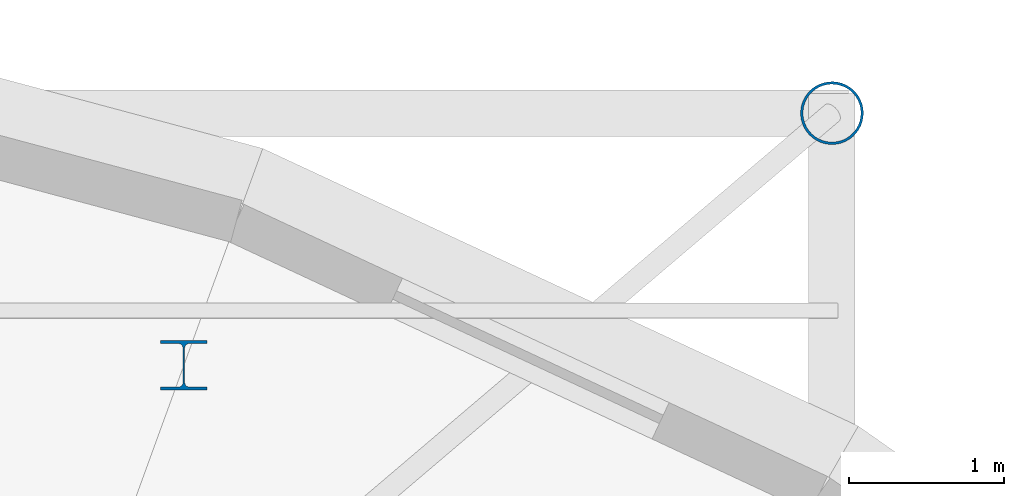
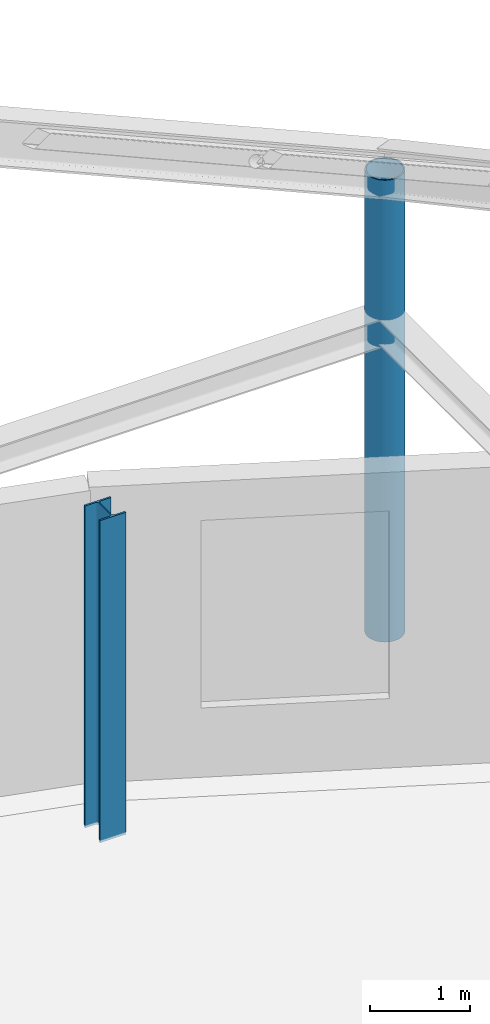
# One storey, part 14 of 75: 2 columns.
"""IFC4 building model written with IfcOpenShell, lengths in metres."""

from ifc_helpers import new_model, si_unit, direction, frame, origin, origin_2d, place, context, subcontext, project, spatial, hollow_circle, i_section, extrude, material, material_profile, profile_set, type_object, element, save


model = new_model("IFC4")

# Units and contexts
model_context = context("Model", 3, precision=1e-05, world=origin(), true_north=direction((0.0, 1.0)))
body_context = subcontext(model_context, "Body", "Model", "MODEL_VIEW")
ifc_project = project(units=[si_unit("LENGTHUNIT", "METRE"), si_unit("AREAUNIT", "SQUARE_METRE"), si_unit("VOLUMEUNIT", "CUBIC_METRE"), si_unit("PLANEANGLEUNIT", "RADIAN"), si_unit("MASSUNIT", "GRAM", prefix="KILO")], contexts=[model_context])

# Site, building, storey
site_placement = place(None, origin())
site = spatial("IfcSite", under=ifc_project, at=site_placement, CompositionType="ELEMENT")
building_placement = place(site_placement, origin())
building = spatial("IfcBuilding", under=site, at=building_placement, Name="Kolvaren Corner Interchange", CompositionType="ELEMENT")
storey_placement = place(building_placement, frame((0.0, 0.0, 10.5)))
storey = spatial("IfcBuildingStorey", under=building, at=storey_placement, Name="L03", CompositionType="ELEMENT", Elevation=10.5)

# Columns
ifc_material_1 = material(Name="Steel S355", Category="steel")
ifc_material_profile_1 = material_profile(ifc_material_1, hollow_circle(Radius=0.203125, WallThickness=0.01611328125, at=origin_2d()), Name="CHS 406.4x16.0")
ifc_profile_set_1 = profile_set([ifc_material_profile_1], Name="Steel S355")
column_type_1 = type_object("IfcColumnType", Name="COL-CHS406", PredefinedType="COLUMN", material=ifc_profile_set_1)
column_1_placement = place(storey_placement, frame((132.0, 71.10009765625, 0.0), z_axis=(0.0, 0.0, 1.0), x_axis=(1.0, 0.0, 0.0)))
element("IfcColumn", 1, at=column_1_placement, inside=storey, type_object=column_type_1, Name="Storey L03 Structural Column 0782", PredefinedType="COLUMN", context=body_context, shape_type="SweptSolid", body=[
    extrude(hollow_circle(Radius=0.203125, WallThickness=0.01611328125, at=origin_2d()), origin(), (0.0, 0.0, 1.0), 5.6650390625),
])
ifc_material_2 = material(Name="Steel S355", Category="steel")
ifc_material_profile_2 = material_profile(ifc_material_2, i_section(OverallWidth=0.300048828125, OverallDepth=0.320068359375, WebThickness=0.011474609375, FlangeThickness=0.0205078125, FilletRadius=0.027099609375, at=origin_2d()), Name="HEB 320")
ifc_profile_set_2 = profile_set([ifc_material_profile_2], Name="Steel S355")
column_type_2 = type_object("IfcColumnType", Name="COL-HEB320", PredefinedType="COLUMN", material=ifc_profile_set_2)
column_2_placement = place(storey_placement, frame((127.81494140625, 69.471923828125, 0.0), z_axis=(0.0, 0.0, 1.0), x_axis=(1.0, 0.0, 0.0)))
element("IfcColumn", 2, at=column_2_placement, inside=storey, type_object=column_type_2, Name="Storey L03 Structural Column 0846", PredefinedType="COLUMN", context=body_context, shape_type="SweptSolid", body=[
    extrude(i_section(OverallWidth=0.300048828125, OverallDepth=0.320068359375, WebThickness=0.011474609375, FlangeThickness=0.0205078125, FilletRadius=0.027099609375, at=origin_2d()), origin(), (0.0, 0.0, 1.0), 3.949951171875),
])

save(model, "model.ifc")
